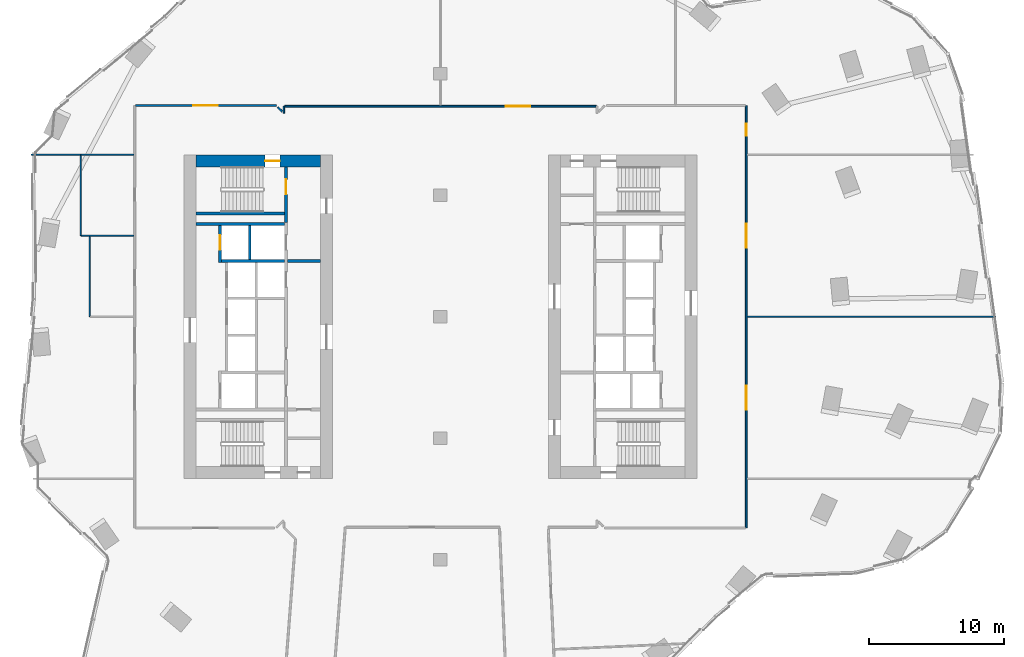
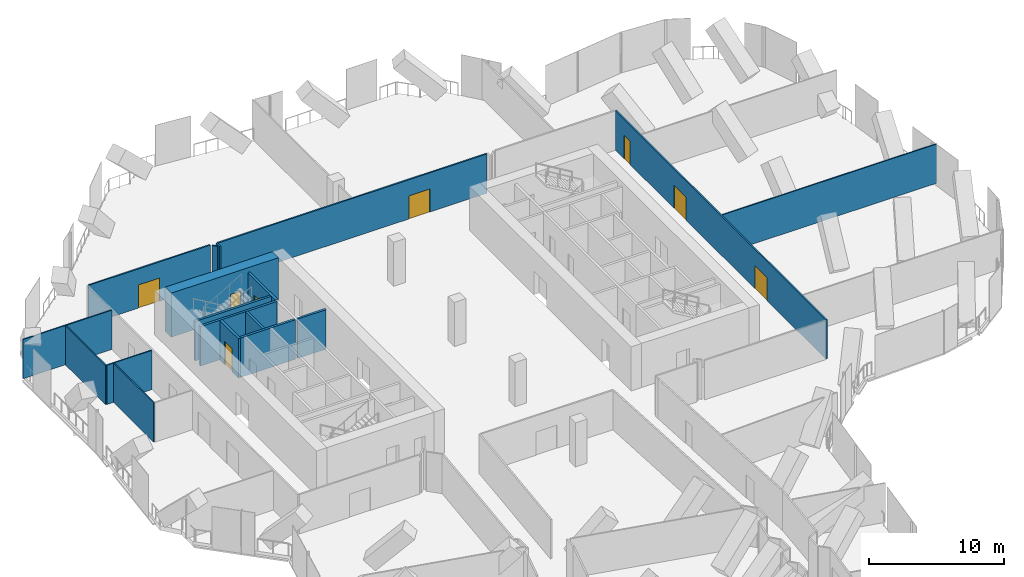
# One storey, part 24 of 29: 18 walls, 8 doors, 8 openings.
"""IFC4 building model written with IfcOpenShell, lengths in metres."""

from ifc_helpers import new_model, si_unit, direction, frame, frame_2d, origin, place, context, subcontext, project, spatial, rectangle, extrude, material, layer, layer_set, type_object, element, fill, save


model = new_model("IFC4")

# Units and contexts
model_context = context("Model", 3, precision=1e-05, world=origin(), true_north=direction((0.0, 1.0)))
body_context = subcontext(model_context, "Body", "Model", "MODEL_VIEW")
ifc_project = project(units=[si_unit("LENGTHUNIT", "METRE"), si_unit("AREAUNIT", "SQUARE_METRE"), si_unit("VOLUMEUNIT", "CUBIC_METRE"), si_unit("PLANEANGLEUNIT", "RADIAN"), si_unit("MASSUNIT", "GRAM", prefix="KILO")], contexts=[model_context])

# Site, building, storey
site_placement = place(None, origin())
site = spatial("IfcSite", under=ifc_project, at=site_placement, CompositionType="ELEMENT")
building_placement = place(site_placement, origin())
building = spatial("IfcBuilding", under=site, at=building_placement, Name="Orlundy Tower", CompositionType="ELEMENT")
storey_placement = place(building_placement, frame((0.0, 0.0, 184.60009765625)))
storey = spatial("IfcBuildingStorey", under=building, at=storey_placement, Name="L48", CompositionType="ELEMENT", Elevation=184.60009765625)

# Wall, opening, door
ifc_material_1 = material(Name="Concrete C70/85", Category="concrete")
ifc_layer_1 = layer(ifc_material_1, 0.89990234375)
ifc_layer_set_1 = layer_set([ifc_layer_1], Name="CORE WALL 900 C70/85")
wall_type_1 = type_object("IfcWallType", Name="CORE WALL 900 C70/85", PredefinedType="SHEAR", material=ifc_layer_set_1)
wall_1_placement = place(storey_placement, frame((-18.10009765625, 11.550048828125, 0.0), z_axis=(0.0, 0.0, 1.0), x_axis=(1.0, 0.0, 0.0)))
wall_1 = element("IfcWall", 1, at=wall_1_placement, inside=storey, type_object=wall_type_1, Name="Core wall W-N L48", PredefinedType="SHEAR", context=body_context, shape_type="SweptSolid", body=[
    extrude(rectangle(XDim=9.2001953125, YDim=0.89990234375, at=frame_2d((4.60009765625, 0.0))), origin(), (0.0, 0.0, 1.0), 4.0),
])
opening_1_placement = place(wall_1_placement, frame((5.10009765625, 0.0, 0.0)))
opening_1 = element("IfcOpeningElement", 2, at=opening_1_placement, cuts=wall_1, Name="Opening 37012", PredefinedType="OPENING", context=body_context, shape_type="SweptSolid", body=[
    extrude(rectangle(XDim=1.10009765625, YDim=2.10009765625, at=frame_2d((0.550048828125, 1.050048828125))), frame((0.0, 0.4599609375, 0.0), z_axis=(0.0, -1.0, 0.0), x_axis=(1.0, 0.0, 0.0)), (0.0, 0.0, 1.0), 0.919921875),
])
ifc_material_2 = material(Name="Steel door set", Category="steel")
door_type_1 = type_object("IfcDoorType", Name="Stair Door 1100x2100", OperationType="SINGLE_SWING_LEFT", PredefinedType="DOOR", material=ifc_material_2)
door_1_placement = place(opening_1_placement, origin())
door_1 = element("IfcDoor", 3, at=door_1_placement, inside=storey, type_object=door_type_1, Name="Stair door 37012", OperationType="SINGLE_SWING_RIGHT", OverallHeight=2.10009765625, OverallWidth=1.10009765625, PredefinedType="DOOR", context=body_context, shape_type="SweptSolid", body=[
    extrude(rectangle(XDim=1.10009765625, YDim=2.10009765625, at=frame_2d((0.550048828125, 1.050048828125))), frame((0.0, 0.02490234375, 0.0), z_axis=(0.0, -1.0, 0.0), x_axis=(1.0, 0.0, 0.0)), (0.0, 0.0, 1.0), 0.050048828125),
])
fill(opening_1, door_1)

# Walls
ifc_material_3 = material(Name="Gypsum board partition")
ifc_layer_2 = layer(ifc_material_3, 0.10009765625)
ifc_layer_set_2 = layer_set([ifc_layer_2], Name="Floor partition 100")
wall_type_2 = type_object("IfcWallType", Name="Floor partition 100", PredefinedType="PARTITIONING", material=ifc_layer_set_2)
wall_2_placement = place(storey_placement, frame((22.7119140625, 0.0, 0.0), z_axis=(0.0, 0.0, 1.0), x_axis=(1.0, 0.0, 0.0)))
element("IfcWall", 4, at=wall_2_placement, inside=storey, type_object=wall_type_2, Name="wall-int-L48-041", PredefinedType="PARTITIONING", context=body_context, shape_type="SweptSolid", body=[
    extrude(rectangle(XDim=18.422119140625, YDim=0.10009765625, at=frame_2d((9.2109375, 0.0))), origin(), (0.0, 0.0, 1.0), 3.559814453125),
])
wall_3_placement = place(storey_placement, frame((-26.597900390625, 6.0009765625, 0.0), z_axis=(0.0, 0.0, 1.0), x_axis=(1.0, 0.0, 0.0)))
element("IfcWall", 5, at=wall_3_placement, inside=storey, type_object=wall_type_2, Name="wall-int-L48-042", PredefinedType="PARTITIONING", context=body_context, shape_type="SweptSolid", body=[
    extrude(rectangle(XDim=3.885986328125, YDim=0.10009765625, at=frame_2d((1.94287109375, 0.0))), origin(), (0.0, 0.0, 1.0), 3.559814453125),
])
wall_4_placement = place(storey_placement, frame((-30.321044921875, 12.0, 0.0), z_axis=(0.0, 0.0, 1.0), x_axis=(1.0, 0.0, 0.0)))
element("IfcWall", 6, at=wall_4_placement, inside=storey, type_object=wall_type_2, Name="wall-int-L48-043", PredefinedType="PARTITIONING", context=body_context, shape_type="SweptSolid", body=[
    extrude(rectangle(XDim=7.609130859375, YDim=0.10009765625, at=frame_2d((3.8046875, 0.0))), origin(), (0.0, 0.0, 1.0), 3.559814453125),
])
for number, where, z_axis, x_axis, name in (
    (7, (-25.98193359375, 0.001953125, 0.0), (0.0, 0.0, 1.0), (0.0, 1.0, 0.0), "wall-int-L48-096"),
    (8, (-26.64794921875, 6.0009765625, 0.0), (0.0, 0.0, 1.0), (0.0, 1.0, 0.0), "wall-int-L48-097"),
):
    element("IfcWall", number, at=place(storey_placement, frame(where, z_axis=z_axis, x_axis=x_axis)), inside=storey, type_object=wall_type_2, Name=name, PredefinedType="PARTITIONING", context=body_context, shape_type="SweptSolid", body=[
        extrude(rectangle(XDim=5.948974609375, YDim=0.10009765625, at=frame_2d((2.974609375, 0.0))), origin(), (0.0, 0.0, 1.0), 3.559814453125),
    ])
ifc_material_4 = material(Name="Gypsum board partition, double layer")
ifc_layer_3 = layer(ifc_material_4, 0.125)
ifc_layer_set_3 = layer_set([ifc_layer_3], Name="Floor partition 125")
wall_type_3 = type_object("IfcWallType", Name="Floor partition 125", PredefinedType="PARTITIONING", material=ifc_layer_set_3)
wall_5_placement = place(storey_placement, frame((-12.0458984375, 15.52294921875, 0.0), z_axis=(0.0, 0.0, 1.0), x_axis=(0.707106781187, -0.707106781187, 0.0)))
element("IfcWall", 9, at=wall_5_placement, inside=storey, type_object=wall_type_3, Name="wall-int-L48-006", PredefinedType="PARTITIONING", context=body_context, shape_type="SweptSolid", body=[
    extrude(rectangle(XDim=0.4482421875, YDim=0.125, at=frame_2d((0.22412109375, 0.0))), origin(), (0.0, 0.0, 1.0), 3.559814453125),
])

# Wall, opening, door
wall_6_placement = place(storey_placement, frame((-11.537109375, 15.60107421875, 0.0), z_axis=(0.0, 0.0, 1.0), x_axis=(1.0, 0.0, 0.0)))
wall_6 = element("IfcWall", 10, at=wall_6_placement, inside=storey, type_object=wall_type_3, Name="wall-int-L48-045", PredefinedType="PARTITIONING", context=body_context, shape_type="SweptSolid", body=[
    extrude(rectangle(XDim=23.07421875, YDim=0.125, at=frame_2d((11.537109375, 0.0))), origin(), (0.0, 0.0, 1.0), 3.559814453125),
])
opening_2_placement = place(wall_6_placement, frame((16.387451171875, 0.0, 0.0)))
opening_2 = element("IfcOpeningElement", 11, at=opening_2_placement, cuts=wall_6, Name="Opening 37117", PredefinedType="OPENING", context=body_context, shape_type="SweptSolid", body=[
    extrude(rectangle(XDim=1.800048828125, YDim=2.10009765625, at=frame_2d((0.89990234375, 1.050048828125))), frame((0.0, 0.072509765625, 0.0), z_axis=(0.0, -1.0, 0.0), x_axis=(1.0, 0.0, 0.0)), (0.0, 0.0, 1.0), 0.14501953125),
])
ifc_material_5 = material(Name="Timber door leaf", Category="wood")
door_type_2 = type_object("IfcDoorType", Name="Floor door double 1800 FD30S", OperationType="NOTDEFINED", PredefinedType="DOOR", material=ifc_material_5)
door_2_placement = place(opening_2_placement, origin())
door_2 = element("IfcDoor", 12, at=door_2_placement, inside=storey, type_object=door_type_2, Name="Door 37117", OperationType="DOUBLE_DOOR_SINGLE_SWING", OverallHeight=2.10009765625, OverallWidth=1.800048828125, PredefinedType="DOOR", context=body_context, shape_type="SweptSolid", body=[
    extrude(rectangle(XDim=1.800048828125, YDim=2.10009765625, at=frame_2d((0.89990234375, 1.050048828125))), frame((0.0, 0.02490234375, 0.0), z_axis=(0.0, -1.0, 0.0), x_axis=(1.0, 0.0, 0.0)), (0.0, 0.0, 1.0), 0.050048828125),
])
fill(opening_2, door_2)

wall_7_placement = place(storey_placement, frame((-22.5869140625, 15.65087890625, 0.0), z_axis=(0.0, 0.0, 1.0), x_axis=(1.0, 0.0, 0.0)))
wall_7 = element("IfcWall", 13, at=wall_7_placement, inside=storey, type_object=wall_type_3, Name="wall-int-L48-046", PredefinedType="PARTITIONING", context=body_context, shape_type="SweptSolid", body=[
    extrude(rectangle(XDim=10.426025390625, YDim=0.125, at=frame_2d((5.212890625, 0.0))), origin(), (0.0, 0.0, 1.0), 3.559814453125),
])
opening_3_placement = place(wall_7_placement, frame((4.28759765625, 0.0, 0.0)))
opening_3 = element("IfcOpeningElement", 14, at=opening_3_placement, cuts=wall_7, Name="Opening 37118", PredefinedType="OPENING", context=body_context, shape_type="SweptSolid", body=[
    extrude(rectangle(XDim=1.800048828125, YDim=2.10009765625, at=frame_2d((0.89990234375, 1.050048828125))), frame((0.0, 0.072509765625, 0.0), z_axis=(0.0, -1.0, 0.0), x_axis=(1.0, 0.0, 0.0)), (0.0, 0.0, 1.0), 0.14501953125),
])
door_3_placement = place(opening_3_placement, origin())
door_3 = element("IfcDoor", 15, at=door_3_placement, inside=storey, type_object=door_type_2, Name="Door 37118", OperationType="DOUBLE_DOOR_SINGLE_SWING", OverallHeight=2.10009765625, OverallWidth=1.800048828125, PredefinedType="DOOR", context=body_context, shape_type="SweptSolid", body=[
    extrude(rectangle(XDim=1.800048828125, YDim=2.10009765625, at=frame_2d((0.89990234375, 1.050048828125))), frame((0.0, 0.02490234375, 0.0), z_axis=(0.0, -1.0, 0.0), x_axis=(1.0, 0.0, 0.0)), (0.0, 0.0, 1.0), 0.050048828125),
])
fill(opening_3, door_3)

# Wall
wall_8_placement = place(storey_placement, frame((-11.60107421875, 15.092041015625, 0.0), z_axis=(0.0, 0.0, 1.0), x_axis=(0.00192214926, 0.999998152669, 0.0)))
element("IfcWall", 16, at=wall_8_placement, inside=storey, type_object=wall_type_3, Name="wall-int-L48-081", PredefinedType="PARTITIONING", context=body_context, shape_type="SweptSolid", body=[
    extrude(rectangle(XDim=0.508056640625, YDim=0.125, at=frame_2d((0.25390625, 0.0))), origin(), (0.0, 0.0, 1.0), 3.559814453125),
])

# Wall, openings, doors
wall_9_placement = place(storey_placement, frame((22.64990234375, 15.65087890625, 0.0), z_axis=(0.0, 0.0, 1.0), x_axis=(0.0, -1.0, 0.0)))
wall_9 = element("IfcWall", 17, at=wall_9_placement, inside=storey, type_object=wall_type_3, Name="wall-int-L48-082", PredefinedType="PARTITIONING", context=body_context, shape_type="SweptSolid", body=[
    extrude(rectangle(XDim=31.3017578125, YDim=0.125, at=frame_2d((15.65087890625, 0.0))), origin(), (0.0, 0.0, 1.0), 3.559814453125),
])
opening_4_placement = place(wall_9_placement, frame((20.7509765625, 0.0, 0.0)))
opening_4 = element("IfcOpeningElement", 18, at=opening_4_placement, cuts=wall_9, Name="Opening 37114", PredefinedType="OPENING", context=body_context, shape_type="SweptSolid", body=[
    extrude(rectangle(XDim=1.800048828125, YDim=2.10009765625, at=frame_2d((0.89990234375, 1.050048828125))), frame((0.0, 0.072509765625, 0.0), z_axis=(0.0, -1.0, 0.0), x_axis=(1.0, 0.0, 0.0)), (0.0, 0.0, 1.0), 0.14501953125),
])
opening_5_placement = place(wall_9_placement, frame((8.7509765625, 0.0, 0.0)))
opening_5 = element("IfcOpeningElement", 19, at=opening_5_placement, cuts=wall_9, Name="Opening 37115", PredefinedType="OPENING", context=body_context, shape_type="SweptSolid", body=[
    extrude(rectangle(XDim=1.800048828125, YDim=2.10009765625, at=frame_2d((0.89990234375, 1.050048828125))), frame((0.0, 0.072509765625, 0.0), z_axis=(0.0, -1.0, 0.0), x_axis=(1.0, 0.0, 0.0)), (0.0, 0.0, 1.0), 0.14501953125),
])
opening_6_placement = place(wall_9_placement, frame((1.35009765625, 0.0, 0.0)))
opening_6 = element("IfcOpeningElement", 20, at=opening_6_placement, cuts=wall_9, Name="Opening 37116", PredefinedType="OPENING", context=body_context, shape_type="SweptSolid", body=[
    extrude(rectangle(XDim=0.89990234375, YDim=2.10009765625, at=frame_2d((0.449951171875, 1.050048828125))), frame((0.0, 0.072509765625, 0.0), z_axis=(0.0, -1.0, 0.0), x_axis=(1.0, 0.0, 0.0)), (0.0, 0.0, 1.0), 0.14501953125),
])
door_4_placement = place(opening_4_placement, origin())
door_4 = element("IfcDoor", 21, at=door_4_placement, inside=storey, type_object=door_type_2, Name="Door 37114", OperationType="DOUBLE_DOOR_SINGLE_SWING", OverallHeight=2.10009765625, OverallWidth=1.800048828125, PredefinedType="DOOR", context=body_context, shape_type="SweptSolid", body=[
    extrude(rectangle(XDim=1.800048828125, YDim=2.10009765625, at=frame_2d((0.89990234375, 1.050048828125))), frame((0.0, 0.02490234375, 0.0), z_axis=(0.0, -1.0, 0.0), x_axis=(1.0, 0.0, 0.0)), (0.0, 0.0, 1.0), 0.050048828125),
])
fill(opening_4, door_4)
door_5_placement = place(opening_5_placement, origin())
door_5 = element("IfcDoor", 22, at=door_5_placement, inside=storey, type_object=door_type_2, Name="Door 37115", OperationType="DOUBLE_DOOR_SINGLE_SWING", OverallHeight=2.10009765625, OverallWidth=1.800048828125, PredefinedType="DOOR", context=body_context, shape_type="SweptSolid", body=[
    extrude(rectangle(XDim=1.800048828125, YDim=2.10009765625, at=frame_2d((0.89990234375, 1.050048828125))), frame((0.0, 0.02490234375, 0.0), z_axis=(0.0, -1.0, 0.0), x_axis=(1.0, 0.0, 0.0)), (0.0, 0.0, 1.0), 0.050048828125),
])
fill(opening_5, door_5)
ifc_material_6 = material(Name="Timber door leaf", Category="wood")
door_type_3 = type_object("IfcDoorType", Name="Floor door single 900 FD30S", OperationType="NOTDEFINED", PredefinedType="DOOR", material=ifc_material_6)
door_6_placement = place(opening_6_placement, origin())
door_6 = element("IfcDoor", 23, at=door_6_placement, inside=storey, type_object=door_type_3, Name="Door 37116", OperationType="SINGLE_SWING_LEFT", OverallHeight=2.10009765625, OverallWidth=0.89990234375, PredefinedType="DOOR", context=body_context, shape_type="SweptSolid", body=[
    extrude(rectangle(XDim=0.89990234375, YDim=2.10009765625, at=frame_2d((0.449951171875, 1.050048828125))), frame((0.0, 0.02490234375, 0.0), z_axis=(0.0, -1.0, 0.0), x_axis=(1.0, 0.0, 0.0)), (0.0, 0.0, 1.0), 0.050048828125),
])
fill(opening_6, door_6)

# Wall, opening, door
ifc_material_7 = material(Name="Concrete C40/50", Category="concrete")
ifc_layer_4 = layer(ifc_material_7, 0.199951171875)
ifc_layer_set_4 = layer_set([ifc_layer_4], Name="Load-bearing Shaft Wall 200")
wall_type_4 = type_object("IfcWallType", Name="Load-bearing Shaft Wall 200", PredefinedType="SOLIDWALL", material=ifc_layer_set_4)
wall_10_placement = place(storey_placement, frame((-11.43994140625, 6.97509765625, 0.0), z_axis=(0.0, 0.0, 1.0), x_axis=(0.0, 1.0, 0.0)))
wall_10 = element("IfcWall", 24, at=wall_10_placement, inside=storey, type_object=wall_type_4, Name="Shaft wall W37-stair-end-n", PredefinedType="SOLIDWALL", context=body_context, shape_type="SweptSolid", body=[
    extrude(rectangle(XDim=4.125, YDim=0.199951171875, at=frame_2d((2.0625, 0.0))), origin(), (0.0, 0.0, 1.0), 3.579833984375),
])
opening_7_placement = place(wall_10_placement, frame((2.10009765625, 0.0, 0.0)))
opening_7 = element("IfcOpeningElement", 25, at=opening_7_placement, cuts=wall_10, Name="Opening 37014", PredefinedType="OPENING", context=body_context, shape_type="SweptSolid", body=[
    extrude(rectangle(XDim=1.10009765625, YDim=2.10009765625, at=frame_2d((0.550048828125, 1.050048828125))), frame((0.0, 0.110107421875, 0.0), z_axis=(0.0, -1.0, 0.0), x_axis=(1.0, 0.0, 0.0)), (0.0, 0.0, 1.0), 0.22021484375),
])
ifc_material_8 = material(Name="Steel door set", Category="steel")
door_type_4 = type_object("IfcDoorType", Name="Fire-fighting Lobby Door 1100x2100", OperationType="SINGLE_SWING_LEFT", PredefinedType="DOOR", material=ifc_material_8)
door_7_placement = place(opening_7_placement, origin())
door_7 = element("IfcDoor", 26, at=door_7_placement, inside=storey, type_object=door_type_4, Name="Fire-fighting lobby to stair door 37014", OperationType="SINGLE_SWING_RIGHT", OverallHeight=2.10009765625, OverallWidth=1.10009765625, PredefinedType="DOOR", context=body_context, shape_type="SweptSolid", body=[
    extrude(rectangle(XDim=1.10009765625, YDim=2.10009765625, at=frame_2d((0.550048828125, 1.050048828125))), frame((0.0, 0.02490234375, 0.0), z_axis=(0.0, -1.0, 0.0), x_axis=(1.0, 0.0, 0.0)), (0.0, 0.0, 1.0), 0.050048828125),
])
fill(opening_7, door_7)

# Walls
wall_11_placement = place(storey_placement, frame((-11.5400390625, 7.64990234375, 0.0), z_axis=(0.0, 0.0, 1.0), x_axis=(-1.0, 0.0, 0.0)))
element("IfcWall", 27, at=wall_11_placement, inside=storey, type_object=wall_type_4, Name="Shaft wall W37-stair-side-n", PredefinedType="SOLIDWALL", context=body_context, shape_type="SweptSolid", body=[
    extrude(rectangle(XDim=6.56005859375, YDim=0.199951171875, at=frame_2d((3.280029296875, 0.0))), origin(), (0.0, 0.0, 1.0), 3.579833984375),
])
ifc_material_9 = material(Name="Gypsum board partition on steel studs", Category="steel")
ifc_layer_5 = layer(ifc_material_9, 0.199951171875)
ifc_layer_set_5 = layer_set([ifc_layer_5], Name="Partition 200")
wall_type_5 = type_object("IfcWallType", Name="Partition 200", PredefinedType="PARTITIONING", material=ifc_layer_set_5)
wall_12_placement = place(storey_placement, frame((-8.89990234375, 4.125, 0.0), z_axis=(0.0, 0.0, 1.0), x_axis=(-1.0, 0.0, 0.0)))
element("IfcWall", 28, at=wall_12_placement, inside=storey, type_object=wall_type_5, Name="Partition wall W37-lobby-n", PredefinedType="PARTITIONING", context=body_context, shape_type="SweptSolid", body=[
    extrude(rectangle(XDim=2.440185546875, YDim=0.199951171875, at=frame_2d((1.22021484375, 0.0))), origin(), (0.0, 0.0, 1.0), 3.579833984375),
])
ifc_material_10 = material(Name="Fire-rated blockwork shaft wall", Category="masonry")
ifc_layer_6 = layer(ifc_material_10, 0.199951171875)
ifc_layer_set_6 = layer_set([ifc_layer_6], Name="Shaft Wall 200")
wall_type_6 = type_object("IfcWallType", Name="Shaft Wall 200", PredefinedType="SOLIDWALL", material=ifc_layer_set_6)
wall_13_placement = place(storey_placement, frame((-11.5400390625, 6.875, 0.0), z_axis=(0.0, 0.0, 1.0), x_axis=(-1.0, 0.0, 0.0)))
element("IfcWall", 29, at=wall_13_placement, inside=storey, type_object=wall_type_6, Name="Shaft wall W37-zone-n", PredefinedType="SOLIDWALL", context=body_context, shape_type="SweptSolid", body=[
    extrude(rectangle(XDim=6.56005859375, YDim=0.199951171875, at=frame_2d((3.280029296875, 0.0))), origin(), (0.0, 0.0, 1.0), 3.579833984375),
])
wall_14_placement = place(storey_placement, frame((-11.5400390625, 4.125, 0.0), z_axis=(0.0, 0.0, 1.0), x_axis=(-1.0, 0.0, 0.0)))
element("IfcWall", 30, at=wall_14_placement, inside=storey, type_object=wall_type_6, Name="Shaft wall W37-cross+4.125", PredefinedType="SOLIDWALL", context=body_context, shape_type="SweptSolid", body=[
    extrude(rectangle(XDim=4.699951171875, YDim=0.199951171875, at=frame_2d((2.35009765625, 0.0))), origin(), (0.0, 0.0, 1.0), 3.579833984375),
])
wall_15_placement = place(storey_placement, frame((-14.139892578125, 4.22509765625, 0.0), z_axis=(0.0, 0.0, 1.0), x_axis=(0.0, 1.0, 0.0)))
element("IfcWall", 31, at=wall_15_placement, inside=storey, type_object=wall_type_6, Name="Shaft wall W37-mid-b", PredefinedType="SOLIDWALL", context=body_context, shape_type="SweptSolid", body=[
    extrude(rectangle(XDim=2.5498046875, YDim=0.199951171875, at=frame_2d((1.27490234375, 0.0))), origin(), (0.0, 0.0, 1.0), 3.579833984375),
])

# Wall, opening, door
wall_16_placement = place(storey_placement, frame((-16.340087890625, 4.02490234375, 0.0), z_axis=(0.0, 0.0, 1.0), x_axis=(0.0, 1.0, 0.0)))
wall_16 = element("IfcWall", 32, at=wall_16_placement, inside=storey, type_object=wall_type_6, Name="Shaft wall W37-front-o-c", PredefinedType="SOLIDWALL", context=body_context, shape_type="SweptSolid", body=[
    extrude(rectangle(XDim=2.75, YDim=0.199951171875, at=frame_2d((1.375, 0.0))), origin(), (0.0, 0.0, 1.0), 3.579833984375),
])
opening_8_placement = place(wall_16_placement, frame((0.925048828125, 0.0, 0.0)))
opening_8 = element("IfcOpeningElement", 33, at=opening_8_placement, cuts=wall_16, Name="Opening 37006", PredefinedType="OPENING", context=body_context, shape_type="SweptSolid", body=[
    extrude(rectangle(XDim=1.10009765625, YDim=2.10009765625, at=frame_2d((0.550048828125, 1.050048828125))), frame((0.0, 0.110107421875, 0.0), z_axis=(0.0, -1.0, 0.0), x_axis=(1.0, 0.0, 0.0)), (0.0, 0.0, 1.0), 0.22021484375),
])
ifc_material_11 = material(Name="Steel door set", Category="steel")
door_type_5 = type_object("IfcDoorType", Name="Landing Door 1100x2100", OperationType="DOUBLE_DOOR_SLIDING", PredefinedType="DOOR", material=ifc_material_11)
door_8_placement = place(opening_8_placement, origin())
door_8 = element("IfcDoor", 34, at=door_8_placement, inside=storey, type_object=door_type_5, Name="Lift landing door LP-14 37006", OperationType="DOUBLE_DOOR_SLIDING", OverallHeight=2.10009765625, OverallWidth=1.10009765625, PredefinedType="DOOR", context=body_context, shape_type="SweptSolid", body=[
    extrude(rectangle(XDim=1.10009765625, YDim=2.10009765625, at=frame_2d((0.550048828125, 1.050048828125))), frame((0.0, 0.02490234375, 0.0), z_axis=(0.0, -1.0, 0.0), x_axis=(1.0, 0.0, 0.0)), (0.0, 0.0, 1.0), 0.050048828125),
])
fill(opening_8, door_8)

save(model, "model.ifc")
